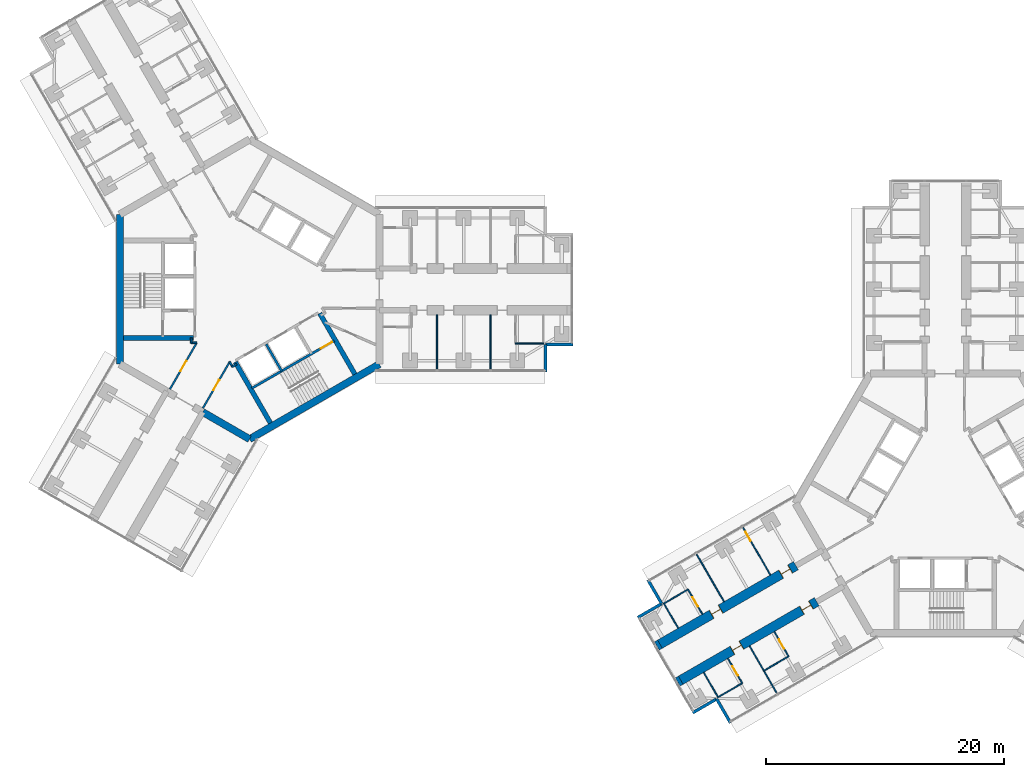
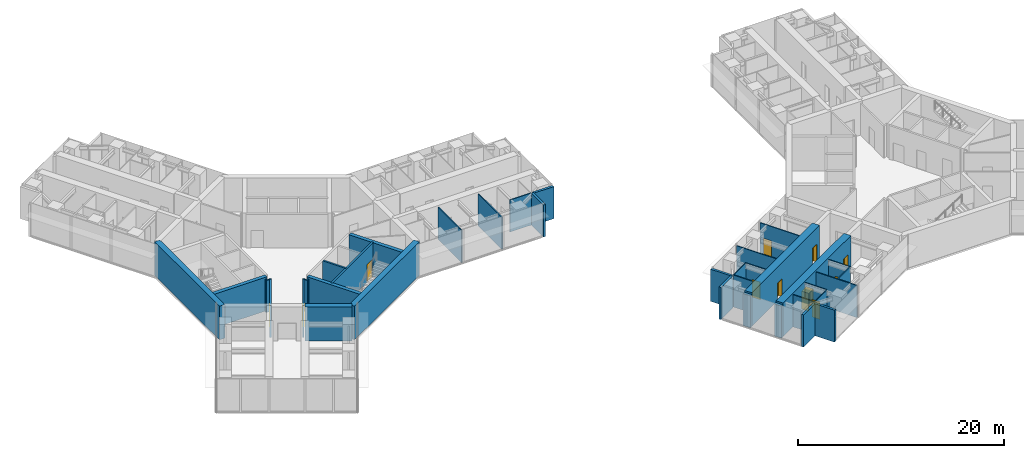
# One storey, part 15 of 23: 38 walls, 11 doors, 11 openings.
"""IFC4 building model written with IfcOpenShell, lengths in metres."""

from ifc_helpers import new_model, si_unit, direction, frame, frame_2d, origin, place, context, subcontext, project, spatial, rectangle, extrude, material, layer, layer_set, type_object, element, fill, save


model = new_model("IFC4")

# Units and contexts
model_context = context("Model", 3, precision=1e-05, world=origin(), true_north=direction((0.0, 1.0)))
body_context = subcontext(model_context, "Body", "Model", "MODEL_VIEW")
ifc_project = project(units=[si_unit("LENGTHUNIT", "METRE"), si_unit("AREAUNIT", "SQUARE_METRE"), si_unit("VOLUMEUNIT", "CUBIC_METRE"), si_unit("PLANEANGLEUNIT", "RADIAN"), si_unit("MASSUNIT", "GRAM", prefix="KILO")], contexts=[model_context])

# Site, building, storey
site_placement = place(None, origin())
site = spatial("IfcSite", under=ifc_project, at=site_placement, CompositionType="ELEMENT")
building_placement = place(site_placement, origin())
building = spatial("IfcBuilding", under=site, at=building_placement, Name="Upepo Twin Towers", CompositionType="ELEMENT")
storey_placement = place(building_placement, frame((0.0, 0.0, 149.5)))
storey = spatial("IfcBuildingStorey", under=building, at=storey_placement, Name="L36", CompositionType="ELEMENT", Elevation=149.5)

# Walls
ifc_material_1 = material(Name="Dense concrete blockwork", Category="masonry")
ifc_layer_1 = layer(ifc_material_1, 0.800048828125)
ifc_layer_set_1 = layer_set([ifc_layer_1], Name="Buttress closer 800, blockwork with fire-stopping to the curtain wall")
wall_type_1 = type_object("IfcWallType", Name="Buttress closer 800, blockwork with fire-stopping to the curtain wall", PredefinedType="PARTITIONING", material=ifc_layer_set_1)
wall_1_placement = place(storey_placement, frame((36.252197265625, -32.865478515625, 0.0), z_axis=(0.0, 0.0, 1.0), x_axis=(-0.865778900179, -0.500426713919, 0.0)))
element("IfcWall", 1, at=wall_1_placement, inside=storey, type_object=wall_type_1, Name="T2 L36 wing B buttress closer L", PredefinedType="PARTITIONING", context=body_context, shape_type="SweptSolid", body=[
    extrude(rectangle(XDim=0.300048828125, YDim=0.800048828125, at=frame_2d((0.14990234375, 0.0))), origin(), (0.0, 0.0, 1.0), 3.800048828125),
])
wall_2_placement = place(storey_placement, frame((34.502197265625, -29.83447265625, 0.0), z_axis=(0.0, 0.0, 1.0), x_axis=(-0.866131372301, -0.499816412211, 0.0)))
element("IfcWall", 2, at=wall_2_placement, inside=storey, type_object=wall_type_1, Name="T2 L36 wing B buttress closer R", PredefinedType="PARTITIONING", context=body_context, shape_type="SweptSolid", body=[
    extrude(rectangle(XDim=0.2998046875, YDim=0.800048828125, at=frame_2d((0.14990234375, 0.0))), origin(), (0.0, 0.0, 1.0), 3.800048828125),
])

# Wall, openings, doors
ifc_material_2 = material(Name="Concrete C60/75", Category="concrete")
ifc_layer_2 = layer(ifc_material_2, 0.800048828125)
ifc_layer_set_2 = layer_set([ifc_layer_2], Name="Concrete C60/75")
wall_type_2 = type_object("IfcWallType", Name="Buttress wall 800 RC", PredefinedType="SHEAR", material=ifc_layer_set_2)
wall_3_placement = place(storey_placement, frame((47.68359375, -26.265625, 0.0), z_axis=(0.0, 0.0, 1.0), x_axis=(-0.866027579429, -0.499996231654, 0.0)))
wall_3 = element("IfcWall", 3, at=wall_3_placement, inside=storey, type_object=wall_type_2, Name="T2 wing B buttress wall L part 2", PredefinedType="SHEAR", context=body_context, shape_type="SweptSolid", body=[
    extrude(rectangle(XDim=13.19970703125, YDim=0.800048828125, at=frame_2d((6.599853515625, 0.0))), origin(), (0.0, 0.0, 1.0), 4.0),
])
opening_1_placement = place(wall_3_placement, frame((0.550048828125, 0.0, 0.0)))
opening_1 = element("IfcOpeningElement", 4, at=opening_1_placement, cuts=wall_3, Name="Opening D14", PredefinedType="OPENING", context=body_context, shape_type="SweptSolid", body=[
    extrude(rectangle(XDim=0.89990234375, YDim=2.10009765625, at=frame_2d((0.449951171875, 1.050048828125))), frame((0.0, 0.409912109375, 0.0), z_axis=(0.0, -1.0, 0.0), x_axis=(1.0, 0.0, 0.0)), (0.0, 0.0, 1.0), 0.820068359375),
])
opening_2_placement = place(wall_3_placement, frame((7.300048828125, 0.0, 0.0)))
opening_2 = element("IfcOpeningElement", 5, at=opening_2_placement, cuts=wall_3, Name="Opening D14", PredefinedType="OPENING", context=body_context, shape_type="SweptSolid", body=[
    extrude(rectangle(XDim=0.89990234375, YDim=2.10009765625, at=frame_2d((0.449951171875, 1.050048828125))), frame((0.0, 0.409912109375, 0.0), z_axis=(0.0, -1.0, 0.0), x_axis=(1.0, 0.0, 0.0)), (0.0, 0.0, 1.0), 0.820068359375),
])
ifc_material_3 = material(Name="Timber doorset", Category="wood")
door_type_1 = type_object("IfcDoorType", Name="Office door 900 FD30", OperationType="SINGLE_SWING_LEFT", PredefinedType="DOOR", material=ifc_material_3)
door_1_placement = place(opening_1_placement, origin())
door_1 = element("IfcDoor", 6, at=door_1_placement, inside=storey, type_object=door_type_1, Name="T2 L36 law clinic door", OperationType="SINGLE_SWING_LEFT", OverallHeight=2.10009765625, OverallWidth=0.89990234375, PredefinedType="DOOR", context=body_context, shape_type="SweptSolid", body=[
    extrude(rectangle(XDim=0.81990234375, YDim=2.06009765625, at=frame_2d((0.449951171875, 1.030029296875))), frame((0.0, 0.02490234375, 0.0), z_axis=(0.0, -1.0, 0.0), x_axis=(1.0, 0.0, 0.0)), (0.0, 0.0, 1.0), 0.050048828125),
    extrude(rectangle(XDim=0.04, YDim=2.10009765625, at=frame_2d((0.02001953125, 1.050048828125))), frame((0.0, 0.39990234375, 0.0), z_axis=(0.0, -1.0, 0.0), x_axis=(1.0, 0.0, 0.0)), (0.0, 0.0, 1.0), 0.799560546875),
    extrude(rectangle(XDim=0.04, YDim=2.10009765625, at=frame_2d((0.8798828125, 1.050048828125))), frame((0.0, 0.39990234375, 0.0), z_axis=(0.0, -1.0, 0.0), x_axis=(1.0, 0.0, 0.0)), (0.0, 0.0, 1.0), 0.799560546875),
    extrude(rectangle(XDim=0.81990234375, YDim=0.04, at=frame_2d((0.449951171875, 2.080078125))), frame((0.0, 0.39990234375, 0.0), z_axis=(0.0, -1.0, 0.0), x_axis=(1.0, 0.0, 0.0)), (0.0, 0.0, 1.0), 0.799560546875),
])
fill(opening_1, door_1)
door_2_placement = place(opening_2_placement, origin())
door_2 = element("IfcDoor", 7, at=door_2_placement, inside=storey, type_object=door_type_1, Name="T2 L36 staff office door", OperationType="SINGLE_SWING_RIGHT", OverallHeight=2.10009765625, OverallWidth=0.89990234375, PredefinedType="DOOR", context=body_context, shape_type="SweptSolid", body=[
    extrude(rectangle(XDim=0.81990234375, YDim=2.06009765625, at=frame_2d((0.449951171875, 1.030029296875))), frame((0.0, 0.02490234375, 0.0), z_axis=(0.0, -1.0, 0.0), x_axis=(1.0, 0.0, 0.0)), (0.0, 0.0, 1.0), 0.050048828125),
    extrude(rectangle(XDim=0.04, YDim=2.10009765625, at=frame_2d((0.02001953125, 1.050048828125))), frame((0.0, 0.39990234375, 0.0), z_axis=(0.0, -1.0, 0.0), x_axis=(1.0, 0.0, 0.0)), (0.0, 0.0, 1.0), 0.799560546875),
    extrude(rectangle(XDim=0.04, YDim=2.10009765625, at=frame_2d((0.8798828125, 1.050048828125))), frame((0.0, 0.39990234375, 0.0), z_axis=(0.0, -1.0, 0.0), x_axis=(1.0, 0.0, 0.0)), (0.0, 0.0, 1.0), 0.799560546875),
    extrude(rectangle(XDim=0.81990234375, YDim=0.04, at=frame_2d((0.449951171875, 2.080078125))), frame((0.0, 0.39990234375, 0.0), z_axis=(0.0, -1.0, 0.0), x_axis=(1.0, 0.0, 0.0)), (0.0, 0.0, 1.0), 0.799560546875),
])
fill(opening_2, door_2)

wall_4_placement = place(storey_placement, frame((45.93359375, -23.234375, 0.0), z_axis=(0.0, 0.0, 1.0), x_axis=(-0.866019570528, -0.500010103361, 0.0)))
wall_4 = element("IfcWall", 8, at=wall_4_placement, inside=storey, type_object=wall_type_2, Name="T2 wing B buttress wall R part 2", PredefinedType="SHEAR", context=body_context, shape_type="SweptSolid", body=[
    extrude(rectangle(XDim=13.199951171875, YDim=0.800048828125, at=frame_2d((6.60009765625, 0.0))), origin(), (0.0, 0.0, 1.0), 4.0),
])
opening_3_placement = place(wall_4_placement, frame((0.550048828125, 0.0, 0.0)))
opening_3 = element("IfcOpeningElement", 9, at=opening_3_placement, cuts=wall_4, Name="Opening D14", PredefinedType="OPENING", context=body_context, shape_type="SweptSolid", body=[
    extrude(rectangle(XDim=0.89990234375, YDim=2.10009765625, at=frame_2d((0.449951171875, 1.050048828125))), frame((0.0, 0.409912109375, 0.0), z_axis=(0.0, -1.0, 0.0), x_axis=(1.0, 0.0, 0.0)), (0.0, 0.0, 1.0), 0.820068359375),
])
opening_4_placement = place(wall_4_placement, frame((7.300048828125, 0.0, 0.0)))
opening_4 = element("IfcOpeningElement", 10, at=opening_4_placement, cuts=wall_4, Name="Opening D14", PredefinedType="OPENING", context=body_context, shape_type="SweptSolid", body=[
    extrude(rectangle(XDim=0.89990234375, YDim=2.10009765625, at=frame_2d((0.449951171875, 1.050048828125))), frame((0.0, 0.409912109375, 0.0), z_axis=(0.0, -1.0, 0.0), x_axis=(1.0, 0.0, 0.0)), (0.0, 0.0, 1.0), 0.820068359375),
])
door_3_placement = place(opening_3_placement, origin())
door_3 = element("IfcDoor", 11, at=door_3_placement, inside=storey, type_object=door_type_1, Name="T2 L36 meeting room door", OperationType="SINGLE_SWING_LEFT", OverallHeight=2.10009765625, OverallWidth=0.89990234375, PredefinedType="DOOR", context=body_context, shape_type="SweptSolid", body=[
    extrude(rectangle(XDim=0.81990234375, YDim=2.06009765625, at=frame_2d((0.449951171875, 1.030029296875))), frame((0.0, 0.02490234375, 0.0), z_axis=(0.0, -1.0, 0.0), x_axis=(1.0, 0.0, 0.0)), (0.0, 0.0, 1.0), 0.050048828125),
    extrude(rectangle(XDim=0.04, YDim=2.10009765625, at=frame_2d((0.02001953125, 1.050048828125))), frame((0.0, 0.39990234375, 0.0), z_axis=(0.0, -1.0, 0.0), x_axis=(1.0, 0.0, 0.0)), (0.0, 0.0, 1.0), 0.799560546875),
    extrude(rectangle(XDim=0.04, YDim=2.10009765625, at=frame_2d((0.8798828125, 1.050048828125))), frame((0.0, 0.39990234375, 0.0), z_axis=(0.0, -1.0, 0.0), x_axis=(1.0, 0.0, 0.0)), (0.0, 0.0, 1.0), 0.799560546875),
    extrude(rectangle(XDim=0.81990234375, YDim=0.04, at=frame_2d((0.449951171875, 2.080078125))), frame((0.0, 0.39990234375, 0.0), z_axis=(0.0, -1.0, 0.0), x_axis=(1.0, 0.0, 0.0)), (0.0, 0.0, 1.0), 0.799560546875),
])
fill(opening_3, door_3)
door_4_placement = place(opening_4_placement, origin())
door_4 = element("IfcDoor", 12, at=door_4_placement, inside=storey, type_object=door_type_1, Name="T2 L36 postgraduate office door", OperationType="SINGLE_SWING_RIGHT", OverallHeight=2.10009765625, OverallWidth=0.89990234375, PredefinedType="DOOR", context=body_context, shape_type="SweptSolid", body=[
    extrude(rectangle(XDim=0.81990234375, YDim=2.06009765625, at=frame_2d((0.449951171875, 1.030029296875))), frame((0.0, 0.02490234375, 0.0), z_axis=(0.0, -1.0, 0.0), x_axis=(1.0, 0.0, 0.0)), (0.0, 0.0, 1.0), 0.050048828125),
    extrude(rectangle(XDim=0.04, YDim=2.10009765625, at=frame_2d((0.02001953125, 1.050048828125))), frame((0.0, 0.39990234375, 0.0), z_axis=(0.0, -1.0, 0.0), x_axis=(1.0, 0.0, 0.0)), (0.0, 0.0, 1.0), 0.799560546875),
    extrude(rectangle(XDim=0.04, YDim=2.10009765625, at=frame_2d((0.8798828125, 1.050048828125))), frame((0.0, 0.39990234375, 0.0), z_axis=(0.0, -1.0, 0.0), x_axis=(1.0, 0.0, 0.0)), (0.0, 0.0, 1.0), 0.799560546875),
    extrude(rectangle(XDim=0.81990234375, YDim=0.04, at=frame_2d((0.449951171875, 2.080078125))), frame((0.0, 0.39990234375, 0.0), z_axis=(0.0, -1.0, 0.0), x_axis=(1.0, 0.0, 0.0)), (0.0, 0.0, 1.0), 0.799560546875),
])
fill(opening_4, door_4)

# Walls
ifc_material_4 = material(Name="Concrete C60/75", Category="concrete")
ifc_layer_3 = layer(ifc_material_4, 0.60009765625)
ifc_layer_set_3 = layer_set([ifc_layer_3], Name="Concrete C60/75")
wall_type_3 = type_object("IfcWallType", Name="Core wall 600 RC", PredefinedType="SHEAR", material=ifc_layer_set_3)
wall_5_placement = place(storey_placement, frame((-10.908447265625, 6.2978515625, 0.0), z_axis=(0.0, 0.0, 1.0), x_axis=(0.0, -1.0, 0.0)))
element("IfcWall", 13, at=wall_5_placement, inside=storey, type_object=wall_type_3, Name="T1 core wall 180", PredefinedType="SHEAR", context=body_context, shape_type="SweptSolid", body=[
    extrude(rectangle(XDim=12.595703125, YDim=0.60009765625, at=frame_2d((6.2978515625, 0.0))), origin(), (0.0, 0.0, 1.0), 4.0),
])
wall_6_placement = place(storey_placement, frame((-3.938720703125, -10.32177734375, 0.0), z_axis=(0.0, 0.0, 1.0), x_axis=(0.866011268655, -0.500024481964, 0.0)))
element("IfcWall", 14, at=wall_6_placement, inside=storey, type_object=wall_type_3, Name="T1 core wall 240 L", PredefinedType="SHEAR", context=body_context, shape_type="SweptSolid", body=[
    extrude(rectangle(XDim=4.548095703125, YDim=0.60009765625, at=frame_2d((2.27392578125, 0.0))), origin(), (0.0, 0.0, 1.0), 4.0),
])
wall_7_placement = place(storey_placement, frame((0.0, -12.595947265625, 0.0), z_axis=(0.0, 0.0, 1.0), x_axis=(0.866021940709, 0.500005998175, 0.0)))
element("IfcWall", 15, at=wall_7_placement, inside=storey, type_object=wall_type_3, Name="T1 core wall 300", PredefinedType="SHEAR", context=body_context, shape_type="SweptSolid", body=[
    extrude(rectangle(XDim=12.595947265625, YDim=0.60009765625, at=frame_2d((6.2978515625, 0.0))), origin(), (0.0, 0.0, 1.0), 4.0),
])
ifc_material_5 = material(Name="Blockwork with anodised aluminium cladding", Category="masonry")
ifc_layer_4 = layer(ifc_material_5, 0.25)
ifc_layer_set_4 = layer_set([ifc_layer_4], Name="Notch cladding wall 250, pale metal")
wall_type_4 = type_object("IfcWallType", Name="Notch cladding wall 250, pale metal", PredefinedType="STANDARD", material=ifc_layer_set_4)
for number, where, z_axis, x_axis, name in (
    (16, (24.875, -6.949951171875, 0.0), (0.0, 0.0, 1.0), (0.0, 1.0, 0.0), "T1 L36 wing A notch wall R1"),
    (17, (24.875, -4.625, 0.0), (0.0, 0.0, 1.0), (1.0, 0.0, 0.0), "T1 L36 wing A notch wall R2"),
    (18, (40.4326171875, -36.456298828125, 0.0), (0.0, 0.0, 1.0), (-0.500046648681, 0.865998469481, 0.0), "T2 L36 wing B notch wall L1"),
    (19, (39.27001953125, -34.44287109375, 0.0), (0.0, 0.0, 1.0), (-0.865998469481, -0.500046648681, 0.0), "T2 L36 wing B notch wall L2"),
    (20, (33.482666015625, -24.418701171875, 0.0), (0.0, 0.0, 1.0), (0.499967891604, -0.866043940782, 0.0), "T2 L36 wing B notch wall R1"),
    (21, (34.64501953125, -26.43212890625, 0.0), (0.0, 0.0, 1.0), (-0.865998469481, -0.500046648681, 0.0), "T2 L36 wing B notch wall R2"),
):
    element("IfcWall", number, at=place(storey_placement, frame(where, z_axis=z_axis, x_axis=x_axis)), inside=storey, type_object=wall_type_4, Name=name, PredefinedType="STANDARD", context=body_context, shape_type="SweptSolid", body=[
        extrude(rectangle(XDim=2.324951171875, YDim=0.25, at=frame_2d((1.16259765625, 0.0))), origin(), (0.0, 0.0, 1.0), 3.800048828125),
    ])
ifc_material_6 = material(Name="Gypsum board on steel studs", Category="steel")
ifc_layer_5 = layer(ifc_material_6, 0.10009765625)
ifc_layer_set_5 = layer_set([ifc_layer_5], Name="Office partition 100 stud")
wall_type_5 = type_object("IfcWallType", Name="Office partition 100 stud", PredefinedType="PARTITIONING", material=ifc_layer_set_5)
for number, where, z_axis, x_axis, name in (
    (22, (15.75, -2.14990234375, 0.0), (0.0, 0.0, 1.0), (0.0, -1.0, 0.0), "T1 partition AR at 15.75"),
    (23, (20.25, -2.14990234375, 0.0), (0.0, 0.0, 1.0), (0.0, -1.0, 0.0), "T1 partition AR at 20.25"),
):
    element("IfcWall", number, at=place(storey_placement, frame(where, z_axis=z_axis, x_axis=x_axis)), inside=storey, type_object=wall_type_5, Name=name, PredefinedType="PARTITIONING", context=body_context, shape_type="SweptSolid", body=[
        extrude(rectangle(XDim=4.60009765625, YDim=0.10009765625, at=frame_2d((2.300048828125, 0.0))), origin(), (0.0, 0.0, 1.0), 3.800048828125),
    ])
wall_8_placement = place(storey_placement, frame((22.35009765625, -4.550048828125, 0.0), z_axis=(0.0, 0.0, 1.0), x_axis=(1.0, 0.0, 0.0)))
element("IfcWall", 24, at=wall_8_placement, inside=storey, type_object=wall_type_5, Name="T1 inner room partition AR at 22.35", PredefinedType="PARTITIONING", context=body_context, shape_type="SweptSolid", body=[
    extrude(rectangle(XDim=2.39990234375, YDim=0.10009765625, at=frame_2d((1.199951171875, 0.0))), origin(), (0.0, 0.0, 1.0), 3.800048828125),
])
wall_9_placement = place(storey_placement, frame((42.0380859375, -29.987060546875, 0.0), z_axis=(0.0, 0.0, 1.0), x_axis=(0.499975146636, -0.866039752405, 0.0)))
element("IfcWall", 25, at=wall_9_placement, inside=storey, type_object=wall_type_5, Name="T2 partition BL at 20.25", PredefinedType="PARTITIONING", context=body_context, shape_type="SweptSolid", body=[
    extrude(rectangle(XDim=4.599853515625, YDim=0.10009765625, at=frame_2d((2.2998046875, 0.0))), origin(), (0.0, 0.0, 1.0), 3.800048828125),
])
wall_10_placement = place(storey_placement, frame((45.31640625, -30.865478515625, 0.0), z_axis=(0.0, 0.0, 1.0), x_axis=(-0.866024647952, -0.500001309137, 0.0)))
element("IfcWall", 26, at=wall_10_placement, inside=storey, type_object=wall_type_5, Name="T2 inner room partition BL at 17.85", PredefinedType="PARTITIONING", context=body_context, shape_type="SweptSolid", body=[
    extrude(rectangle(XDim=2.39990234375, YDim=0.10009765625, at=frame_2d((1.199951171875, 0.0))), origin(), (0.0, 0.0, 1.0), 3.800048828125),
])

# Wall, opening, door
wall_11_placement = place(storey_placement, frame((44.116455078125, -28.786865234375, 0.0), z_axis=(0.0, 0.0, 1.0), x_axis=(0.499957262057, -0.866050077142, 0.0)))
wall_11 = element("IfcWall", 27, at=wall_11_placement, inside=storey, type_object=wall_type_5, Name="T2 inner room partition BL end at 17.85", PredefinedType="PARTITIONING", context=body_context, shape_type="SweptSolid", body=[
    extrude(rectangle(XDim=2.400146484375, YDim=0.10009765625, at=frame_2d((1.2001953125, 0.0))), origin(), (0.0, 0.0, 1.0), 3.800048828125),
])
opening_5_placement = place(wall_11_placement, frame((0.75, 0.0, 0.0)))
opening_5 = element("IfcOpeningElement", 28, at=opening_5_placement, cuts=wall_11, Name="Opening D14", PredefinedType="OPENING", context=body_context, shape_type="SweptSolid", body=[
    extrude(rectangle(XDim=0.89990234375, YDim=2.10009765625, at=frame_2d((0.449951171875, 1.050048828125))), frame((0.0, 0.06005859375, 0.0), z_axis=(0.0, -1.0, 0.0), x_axis=(1.0, 0.0, 0.0)), (0.0, 0.0, 1.0), 0.1201171875),
])
door_5_placement = place(opening_5_placement, origin())
door_5 = element("IfcDoor", 29, at=door_5_placement, inside=storey, type_object=door_type_1, Name="T2 L36 inner room door", OperationType="SINGLE_SWING_LEFT", OverallHeight=2.10009765625, OverallWidth=0.89990234375, PredefinedType="DOOR", context=body_context, shape_type="SweptSolid", body=[
    extrude(rectangle(XDim=0.89990234375, YDim=2.10009765625, at=frame_2d((0.449951171875, 1.050048828125))), frame((0.0, 0.02490234375, 0.0), z_axis=(0.0, -1.0, 0.0), x_axis=(1.0, 0.0, 0.0)), (0.0, 0.0, 1.0), 0.050048828125),
])
fill(opening_5, door_5)

# Wall
wall_12_placement = place(storey_placement, frame((41.41943359375, -33.115478515625, 0.0), z_axis=(0.0, 0.0, 1.0), x_axis=(-0.866050077142, -0.499957262057, 0.0)))
element("IfcWall", 30, at=wall_12_placement, inside=storey, type_object=wall_type_5, Name="T2 inner room partition BL at 22.35", PredefinedType="PARTITIONING", context=body_context, shape_type="SweptSolid", body=[
    extrude(rectangle(XDim=2.400146484375, YDim=0.10009765625, at=frame_2d((1.2001953125, 0.0))), origin(), (0.0, 0.0, 1.0), 3.800048828125),
])

# Wall, opening, door
wall_13_placement = place(storey_placement, frame((40.21923828125, -31.036865234375, 0.0), z_axis=(0.0, 0.0, 1.0), x_axis=(0.500033551112, -0.866006032174, 0.0)))
wall_13 = element("IfcWall", 31, at=wall_13_placement, inside=storey, type_object=wall_type_5, Name="T2 inner room partition BL end at 22.35", PredefinedType="PARTITIONING", context=body_context, shape_type="SweptSolid", body=[
    extrude(rectangle(XDim=2.400146484375, YDim=0.10009765625, at=frame_2d((1.2001953125, 0.0))), origin(), (0.0, 0.0, 1.0), 3.800048828125),
])
opening_6_placement = place(wall_13_placement, frame((0.75, 0.0, 0.0)))
opening_6 = element("IfcOpeningElement", 32, at=opening_6_placement, cuts=wall_13, Name="Opening D14", PredefinedType="OPENING", context=body_context, shape_type="SweptSolid", body=[
    extrude(rectangle(XDim=0.89990234375, YDim=2.10009765625, at=frame_2d((0.449951171875, 1.050048828125))), frame((0.0, 0.06005859375, 0.0), z_axis=(0.0, -1.0, 0.0), x_axis=(1.0, 0.0, 0.0)), (0.0, 0.0, 1.0), 0.1201171875),
])
door_6_placement = place(opening_6_placement, origin())
door_6 = element("IfcDoor", 33, at=door_6_placement, inside=storey, type_object=door_type_1, Name="T2 L36 inner room door", OperationType="SINGLE_SWING_LEFT", OverallHeight=2.10009765625, OverallWidth=0.89990234375, PredefinedType="DOOR", context=body_context, shape_type="SweptSolid", body=[
    extrude(rectangle(XDim=0.89990234375, YDim=2.10009765625, at=frame_2d((0.449951171875, 1.050048828125))), frame((0.0, 0.02490234375, 0.0), z_axis=(0.0, -1.0, 0.0), x_axis=(1.0, 0.0, 0.0)), (0.0, 0.0, 1.0), 0.050048828125),
])
fill(opening_6, door_6)

# Wall
wall_14_placement = place(storey_placement, frame((38.18408203125, -32.2119140625, 0.0), z_axis=(0.0, 0.0, 1.0), x_axis=(0.500033551112, -0.866006032174, 0.0)))
element("IfcWall", 34, at=wall_14_placement, inside=storey, type_object=wall_type_5, Name="T2 inner room partition BL end at 24.75", PredefinedType="PARTITIONING", context=body_context, shape_type="SweptSolid", body=[
    extrude(rectangle(XDim=2.400146484375, YDim=0.10009765625, at=frame_2d((1.2001953125, 0.0))), origin(), (0.0, 0.0, 1.0), 3.800048828125),
])

# Wall, opening, door
wall_15_placement = place(storey_placement, frame((43.78515625, -24.012939453125, 0.0), z_axis=(0.0, 0.0, 1.0), x_axis=(-0.500014953309, 0.866016770315, 0.0)))
wall_15 = element("IfcWall", 35, at=wall_15_placement, inside=storey, type_object=wall_type_5, Name="T2 partition BR at 15.75", PredefinedType="PARTITIONING", context=body_context, shape_type="SweptSolid", body=[
    extrude(rectangle(XDim=4.599853515625, YDim=0.10009765625, at=frame_2d((2.2998046875, 0.0))), origin(), (0.0, 0.0, 1.0), 3.800048828125),
])
opening_7_placement = place(wall_15_placement, frame((3.300048828125, 0.0, 0.0)))
opening_7 = element("IfcOpeningElement", 36, at=opening_7_placement, cuts=wall_15, Name="Opening D14", PredefinedType="OPENING", context=body_context, shape_type="SweptSolid", body=[
    extrude(rectangle(XDim=0.89990234375, YDim=2.10009765625, at=frame_2d((0.449951171875, 1.050048828125))), frame((0.0, 0.06005859375, 0.0), z_axis=(0.0, -1.0, 0.0), x_axis=(1.0, 0.0, 0.0)), (0.0, 0.0, 1.0), 0.1201171875),
])
door_7_placement = place(opening_7_placement, origin())
door_7 = element("IfcDoor", 37, at=door_7_placement, inside=storey, type_object=door_type_1, Name="T2 L36 connecting door", OperationType="SINGLE_SWING_RIGHT", OverallHeight=2.10009765625, OverallWidth=0.89990234375, PredefinedType="DOOR", context=body_context, shape_type="SweptSolid", body=[
    extrude(rectangle(XDim=0.89990234375, YDim=2.10009765625, at=frame_2d((0.449951171875, 1.050048828125))), frame((0.0, 0.02490234375, 0.0), z_axis=(0.0, -1.0, 0.0), x_axis=(1.0, 0.0, 0.0)), (0.0, 0.0, 1.0), 0.050048828125),
])
fill(opening_7, door_7)

# Walls
wall_16_placement = place(storey_placement, frame((39.887939453125, -26.262939453125, 0.0), z_axis=(0.0, 0.0, 1.0), x_axis=(-0.500014953309, 0.866016770315, 0.0)))
element("IfcWall", 38, at=wall_16_placement, inside=storey, type_object=wall_type_5, Name="T2 partition BR at 20.25", PredefinedType="PARTITIONING", context=body_context, shape_type="SweptSolid", body=[
    extrude(rectangle(XDim=4.599853515625, YDim=0.10009765625, at=frame_2d((2.2998046875, 0.0))), origin(), (0.0, 0.0, 1.0), 3.800048828125),
])
wall_17_placement = place(storey_placement, frame((36.869384765625, -25.234619140625, 0.0), z_axis=(0.0, 0.0, 1.0), x_axis=(-0.866050077142, -0.499957262057, 0.0)))
element("IfcWall", 39, at=wall_17_placement, inside=storey, type_object=wall_type_5, Name="T2 inner room partition BR at 22.35", PredefinedType="PARTITIONING", context=body_context, shape_type="SweptSolid", body=[
    extrude(rectangle(XDim=2.400146484375, YDim=0.10009765625, at=frame_2d((1.2001953125, 0.0))), origin(), (0.0, 0.0, 1.0), 3.800048828125),
])

# Wall, opening, door
wall_18_placement = place(storey_placement, frame((38.0693359375, -27.31298828125, 0.0), z_axis=(0.0, 0.0, 1.0), x_axis=(-0.500001309137, 0.866024647952, 0.0)))
wall_18 = element("IfcWall", 40, at=wall_18_placement, inside=storey, type_object=wall_type_5, Name="T2 inner room partition BR end at 22.35", PredefinedType="PARTITIONING", context=body_context, shape_type="SweptSolid", body=[
    extrude(rectangle(XDim=2.39990234375, YDim=0.10009765625, at=frame_2d((1.199951171875, 0.0))), origin(), (0.0, 0.0, 1.0), 3.800048828125),
])
opening_8_placement = place(wall_18_placement, frame((0.75, 0.0, 0.0)))
opening_8 = element("IfcOpeningElement", 41, at=opening_8_placement, cuts=wall_18, Name="Opening D14", PredefinedType="OPENING", context=body_context, shape_type="SweptSolid", body=[
    extrude(rectangle(XDim=0.89990234375, YDim=2.10009765625, at=frame_2d((0.449951171875, 1.050048828125))), frame((0.0, 0.06005859375, 0.0), z_axis=(0.0, -1.0, 0.0), x_axis=(1.0, 0.0, 0.0)), (0.0, 0.0, 1.0), 0.1201171875),
])
door_8_placement = place(opening_8_placement, origin())
door_8 = element("IfcDoor", 42, at=door_8_placement, inside=storey, type_object=door_type_1, Name="T2 L36 inner room door", OperationType="SINGLE_SWING_LEFT", OverallHeight=2.10009765625, OverallWidth=0.89990234375, PredefinedType="DOOR", context=body_context, shape_type="SweptSolid", body=[
    extrude(rectangle(XDim=0.89990234375, YDim=2.10009765625, at=frame_2d((0.449951171875, 1.050048828125))), frame((0.0, 0.02490234375, 0.0), z_axis=(0.0, -1.0, 0.0), x_axis=(1.0, 0.0, 0.0)), (0.0, 0.0, 1.0), 0.050048828125),
])
fill(opening_8, door_8)

# Walls
wall_19_placement = place(storey_placement, frame((36.0341796875, -28.488037109375, 0.0), z_axis=(0.0, 0.0, 1.0), x_axis=(-0.500001309137, 0.866024647952, 0.0)))
element("IfcWall", 43, at=wall_19_placement, inside=storey, type_object=wall_type_5, Name="T2 inner room partition BR end at 24.75", PredefinedType="PARTITIONING", context=body_context, shape_type="SweptSolid", body=[
    extrude(rectangle(XDim=2.39990234375, YDim=0.10009765625, at=frame_2d((1.199951171875, 0.0))), origin(), (0.0, 0.0, 1.0), 3.800048828125),
])
ifc_material_7 = material(Name="Concrete C40/50", Category="concrete")
ifc_layer_6 = layer(ifc_material_7, 0.199951171875)
ifc_layer_set_6 = layer_set([ifc_layer_6], Name="Concrete C40/50")
wall_type_6 = type_object("IfcWallType", Name="Shaft wall 200 RC", PredefinedType="SHEAR", material=ifc_layer_set_6)
wall_20_placement = place(storey_placement, frame((1.3974609375, -4.620361328125, 0.0), z_axis=(0.0, 0.0, 1.0), x_axis=(0.499936506574, -0.866062058628, 0.0)))
element("IfcWall", 44, at=wall_20_placement, inside=storey, type_object=wall_type_6, Name="T1 core W300 shaft divider", PredefinedType="SHEAR", context=body_context, shape_type="SweptSolid", body=[
    extrude(rectangle(XDim=2.599853515625, YDim=0.199951171875, at=frame_2d((1.2998046875, 0.0))), origin(), (0.0, 0.0, 1.0), 4.0),
])

# Wall, opening, door
wall_21_placement = place(storey_placement, frame((0.185791015625, -8.322021484375, 0.0), z_axis=(0.0, 0.0, 1.0), x_axis=(0.866026010844, 0.49999894854, 0.0)))
wall_21 = element("IfcWall", 45, at=wall_21_placement, inside=storey, type_object=wall_type_6, Name="T1 core W300 stair wall", PredefinedType="SHEAR", context=body_context, shape_type="SweptSolid", body=[
    extrude(rectangle(XDim=8.0, YDim=0.199951171875, at=frame_2d((4.0, 0.0))), origin(), (0.0, 0.0, 1.0), 4.0),
])
opening_9_placement = place(wall_21_placement, frame((6.699951171875, 0.0, 0.0)))
opening_9 = element("IfcOpeningElement", 46, at=opening_9_placement, cuts=wall_21, Name="Opening D3", PredefinedType="OPENING", context=body_context, shape_type="SweptSolid", body=[
    extrude(rectangle(XDim=1.10009765625, YDim=2.10009765625, at=frame_2d((0.550048828125, 1.050048828125))), frame((0.0, 0.10986328125, 0.0), z_axis=(0.0, -1.0, 0.0), x_axis=(1.0, 0.0, 0.0)), (0.0, 0.0, 1.0), 0.219970703125),
])
ifc_material_8 = material(Name="Timber doorset", Category="wood")
door_type_2 = type_object("IfcDoorType", Name="Stair door 1100 FD60", OperationType="SINGLE_SWING_LEFT", PredefinedType="DOOR", material=ifc_material_8)
door_9_placement = place(opening_9_placement, origin())
door_9 = element("IfcDoor", 47, at=door_9_placement, inside=storey, type_object=door_type_2, Name="T1 L36 stair door", OperationType="SINGLE_SWING_RIGHT", OverallHeight=2.10009765625, OverallWidth=1.10009765625, PredefinedType="DOOR", context=body_context, shape_type="SweptSolid", body=[
    extrude(rectangle(XDim=1.10009765625, YDim=2.10009765625, at=frame_2d((0.550048828125, 1.050048828125))), frame((0.0, 0.02490234375, 0.0), z_axis=(0.0, -1.0, 0.0), x_axis=(1.0, 0.0, 0.0)), (0.0, 0.0, 1.0), 0.050048828125),
])
fill(opening_9, door_9)

# Walls
ifc_material_9 = material(Name="Concrete C40/50", Category="concrete")
ifc_layer_7 = layer(ifc_material_9, 0.39990234375)
ifc_layer_set_7 = layer_set([ifc_layer_7], Name="Concrete C40/50")
wall_type_7 = type_object("IfcWallType", Name="Shaft wall 400 RC", PredefinedType="SHEAR", material=ifc_layer_set_7)
for number, where, z_axis, x_axis, name in (
    (48, (-4.699951171875, -4.10009765625, 0.0), (0.0, 0.0, 1.0), (-1.0, 0.0, 0.0), "T1 core W180 side wall N"),
    (49, (5.900634765625, -2.020263671875, 0.0), (0.0, 0.0, 1.0), (0.500027676417, -0.866009424208, 0.0), "T1 core W300 side wall N"),
):
    element("IfcWall", number, at=place(storey_placement, frame(where, z_axis=z_axis, x_axis=x_axis)), inside=storey, type_object=wall_type_7, Name=name, PredefinedType="SHEAR", context=body_context, shape_type="SweptSolid", body=[
        extrude(rectangle(XDim=5.908447265625, YDim=0.39990234375, at=frame_2d((2.9541015625, 0.0))), origin(), (0.0, 0.0, 1.0), 4.0),
    ])
wall_22_placement = place(storey_placement, frame((-1.20068359375, -6.120361328125, 0.0), z_axis=(0.0, 0.0, 1.0), x_axis=(0.49999668571, -0.866027317282, 0.0)))
element("IfcWall", 50, at=wall_22_placement, inside=storey, type_object=wall_type_7, Name="T1 core W300 side wall S", PredefinedType="SHEAR", context=body_context, shape_type="SweptSolid", body=[
    extrude(rectangle(XDim=5.908203125, YDim=0.39990234375, at=frame_2d((2.9541015625, 0.0))), origin(), (0.0, 0.0, 1.0), 4.0),
])
ifc_material_10 = material(Name="Gypsum board on steel studs", Category="steel")
ifc_layer_8 = layer(ifc_material_10, 0.14990234375)
ifc_layer_set_8 = layer_set([ifc_layer_8], Name="Teaching partition 150 acoustic")
wall_type_8 = type_object("IfcWallType", Name="Teaching partition 150 acoustic", PredefinedType="PARTITIONING", material=ifc_layer_set_8)
wall_23_placement = place(storey_placement, frame((-1.092041015625, -6.28857421875, 0.0), z_axis=(0.0, 0.0, 1.0), x_axis=(-0.866138304741, -0.499804398801, 0.0)))
element("IfcWall", 51, at=wall_23_placement, inside=storey, type_object=wall_type_8, Name="T1 core room partition 2", PredefinedType="PARTITIONING", context=body_context, shape_type="SweptSolid", body=[
    extrude(rectangle(XDim=0.429931640625, YDim=0.14990234375, at=frame_2d((0.21484375, 0.0))), origin(), (0.0, 0.0, 1.0), 3.800048828125),
])
wall_24_placement = place(storey_placement, frame((-1.43701171875, -6.5107421875, 0.0), z_axis=(0.0, 0.0, 1.0), x_axis=(-0.50033519877, 0.865831790172, 0.0)))
element("IfcWall", 52, at=wall_24_placement, inside=storey, type_object=wall_type_8, Name="T1 core room partition 3", PredefinedType="PARTITIONING", context=body_context, shape_type="SweptSolid", body=[
    extrude(rectangle(XDim=0.494384765625, YDim=0.14990234375, at=frame_2d((0.2470703125, 0.0))), origin(), (0.0, 0.0, 1.0), 3.800048828125),
])

# Wall, opening, door
wall_25_placement = place(storey_placement, frame((-1.664306640625, -6.082763671875, 0.0), z_axis=(0.0, 0.0, 1.0), x_axis=(-0.500032713409, -0.866006515865, 0.0)))
wall_25 = element("IfcWall", 53, at=wall_25_placement, inside=storey, type_object=wall_type_8, Name="T1 core room partition 4", PredefinedType="PARTITIONING", context=body_context, shape_type="SweptSolid", body=[
    extrude(rectangle(XDim=4.518310546875, YDim=0.14990234375, at=frame_2d((2.25927734375, 0.0))), origin(), (0.0, 0.0, 1.0), 3.800048828125),
])
opening_10_placement = place(wall_25_placement, frame((1.769287109375, 0.0, 0.0)))
opening_10 = element("IfcOpeningElement", 54, at=opening_10_placement, cuts=wall_25, Name="Opening D1", PredefinedType="OPENING", context=body_context, shape_type="SweptSolid", body=[
    extrude(rectangle(XDim=1.0, YDim=2.10009765625, at=frame_2d((0.5, 1.050048828125))), frame((0.0, 0.0849609375, 0.0), z_axis=(0.0, -1.0, 0.0), x_axis=(1.0, 0.0, 0.0)), (0.0, 0.0, 1.0), 0.169921875),
])
ifc_material_11 = material(Name="Timber doorset", Category="wood")
door_type_3 = type_object("IfcDoorType", Name="Room door 1000 FD30", OperationType="SINGLE_SWING_LEFT", PredefinedType="DOOR", material=ifc_material_11)
door_10_placement = place(opening_10_placement, origin())
door_10 = element("IfcDoor", 55, at=door_10_placement, inside=storey, type_object=door_type_3, Name="T1 L36 core room door K2", OperationType="SINGLE_SWING_RIGHT", OverallHeight=2.10009765625, OverallWidth=1.0, PredefinedType="DOOR", context=body_context, shape_type="SweptSolid", body=[
    extrude(rectangle(XDim=1.0, YDim=2.10009765625, at=frame_2d((0.5, 1.050048828125))), frame((0.0, 0.02490234375, 0.0), z_axis=(0.0, -1.0, 0.0), x_axis=(1.0, 0.0, 0.0)), (0.0, 0.0, 1.0), 0.050048828125),
])
fill(opening_10, door_10)

wall_26_placement = place(storey_placement, frame((-6.69482421875, -8.395751953125, 0.0), z_axis=(0.0, 0.0, 1.0), x_axis=(0.500009315796, 0.86602002524, 0.0)))
wall_26 = element("IfcWall", 56, at=wall_26_placement, inside=storey, type_object=wall_type_8, Name="T1 core room partition 5", PredefinedType="PARTITIONING", context=body_context, shape_type="SweptSolid", body=[
    extrude(rectangle(XDim=4.5185546875, YDim=0.14990234375, at=frame_2d((2.25927734375, 0.0))), origin(), (0.0, 0.0, 1.0), 3.800048828125),
])
opening_11_placement = place(wall_26_placement, frame((1.7490234375, 0.0, 0.0)))
opening_11 = element("IfcOpeningElement", 57, at=opening_11_placement, cuts=wall_26, Name="Opening D1", PredefinedType="OPENING", context=body_context, shape_type="SweptSolid", body=[
    extrude(rectangle(XDim=1.0, YDim=2.10009765625, at=frame_2d((0.5, 1.050048828125))), frame((0.0, 0.0849609375, 0.0), z_axis=(0.0, -1.0, 0.0), x_axis=(1.0, 0.0, 0.0)), (0.0, 0.0, 1.0), 0.169921875),
])
door_11_placement = place(opening_11_placement, origin())
door_11 = element("IfcDoor", 58, at=door_11_placement, inside=storey, type_object=door_type_3, Name="T1 L36 core room door K1", OperationType="SINGLE_SWING_LEFT", OverallHeight=2.10009765625, OverallWidth=1.0, PredefinedType="DOOR", context=body_context, shape_type="SweptSolid", body=[
    extrude(rectangle(XDim=1.0, YDim=2.10009765625, at=frame_2d((0.5, 1.050048828125))), frame((0.0, 0.02490234375, 0.0), z_axis=(0.0, -1.0, 0.0), x_axis=(1.0, 0.0, 0.0)), (0.0, 0.0, 1.0), 0.050048828125),
])
fill(opening_11, door_11)

# Walls
wall_27_placement = place(storey_placement, frame((-4.425537109375, -4.5, 0.0), z_axis=(0.0, 0.0, 1.0), x_axis=(-1.0, 0.0, 0.0)))
element("IfcWall", 59, at=wall_27_placement, inside=storey, type_object=wall_type_8, Name="T1 core room partition 6", PredefinedType="PARTITIONING", context=body_context, shape_type="SweptSolid", body=[
    extrude(rectangle(XDim=0.494384765625, YDim=0.14990234375, at=frame_2d((0.2470703125, 0.0))), origin(), (0.0, 0.0, 1.0), 3.800048828125),
])
wall_28_placement = place(storey_placement, frame((-4.89990234375, -4.52001953125, 0.0), z_axis=(0.0, 0.0, 1.0), x_axis=(0.0, 1.0, 0.0)))
element("IfcWall", 60, at=wall_28_placement, inside=storey, type_object=wall_type_8, Name="T1 core room partition 7", PredefinedType="PARTITIONING", context=body_context, shape_type="SweptSolid", body=[
    extrude(rectangle(XDim=0.429931640625, YDim=0.14990234375, at=frame_2d((0.21484375, 0.0))), origin(), (0.0, 0.0, 1.0), 3.800048828125),
])

save(model, "model.ifc")
